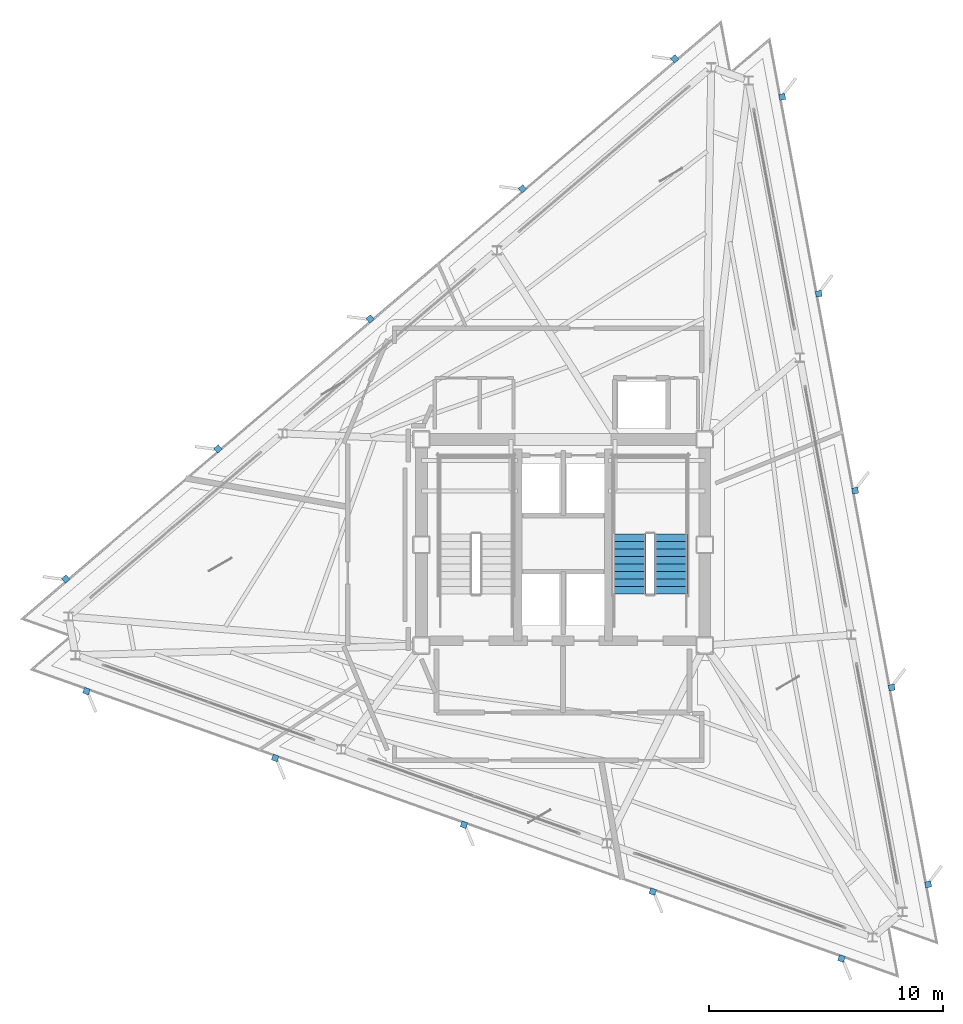
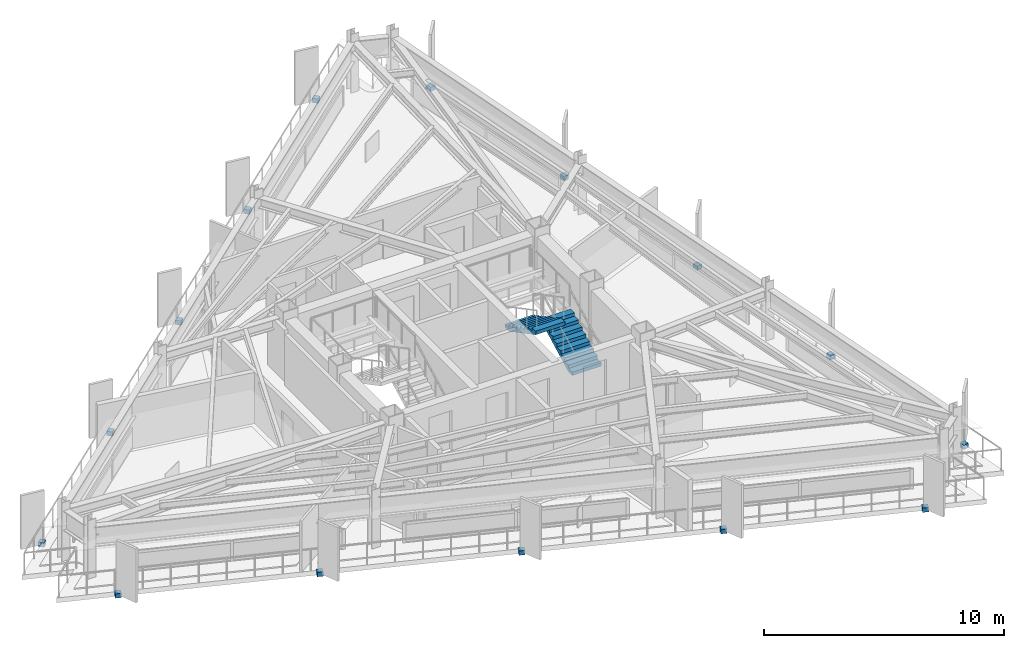
# One storey, part 10 of 14: 15 discrete accessories, 2 stair flights, 1 element without a shape of its own.
"""IFC4 building model written with IfcOpenShell, lengths in metres."""

from ifc_helpers import new_model, si_unit, direction, frame, origin, origin_2d, place, context, subcontext, project, spatial, polyline, rectangle, outline, extrude, material, layer, layer_set, type_object, element, aggregate, save


model = new_model("IFC4")

# Units and contexts
model_context = context("Model", 3, precision=1e-05, world=origin(), true_north=direction((0.0, 1.0)))
body_context = subcontext(model_context, "Body", "Model", "MODEL_VIEW")
ifc_project = project(units=[si_unit("LENGTHUNIT", "METRE"), si_unit("AREAUNIT", "SQUARE_METRE"), si_unit("VOLUMEUNIT", "CUBIC_METRE"), si_unit("PLANEANGLEUNIT", "RADIAN"), si_unit("MASSUNIT", "GRAM", prefix="KILO")], contexts=[model_context])

# Site, building, storey
site_placement = place(None, origin())
site = spatial("IfcSite", under=ifc_project, at=site_placement, CompositionType="ELEMENT")
building_placement = place(site_placement, origin())
building = spatial("IfcBuilding", under=site, at=building_placement, Name="Rocaltana Carrier Exchange", CompositionType="ELEMENT")
storey_placement = place(building_placement, frame((0.0, 0.0, 190.56005859375)))
storey = spatial("IfcBuildingStorey", under=building, at=storey_placement, Name="L60", CompositionType="ELEMENT", Elevation=190.56005859375)

# Stair, stair flights
ifc_material_1 = material(Name="Precast concrete C45/55", Category="concrete")
stair_type = type_object("IfcStairType", Name="Standard Dog-Leg Stair 160", PredefinedType="HALF_TURN_STAIR", material=ifc_material_1)
stair_placement = place(storey_placement, origin())
stair = element("IfcStair", 1, at=stair_placement, inside=storey, type_object=stair_type, Name="L60 Core East Exit Stair ST-2", PredefinedType="HALF_TURN_STAIR")
ifc_material_2 = material(Name="Precast concrete C45/55", Category="concrete")
stair_flight_type = type_object("IfcStairFlightType", Name="Precast Stair Flight 160", PredefinedType="STRAIGHT", material=ifc_material_2)
stair_flight_1_placement = place(storey_placement, frame((4.60009765625, -2.10009765625, 0.0), z_axis=(0.0, 0.0, 1.0), x_axis=(0.0, 1.0, 0.0)))
stair_flight_1 = element("IfcStairFlight", 2, at=stair_flight_1_placement, type_object=stair_flight_type, Name="ST-2 flight 1", NumberOfRisers=9, NumberOfTreads=8, PredefinedType="STRAIGHT", RiserHeight=0.168888889, TreadLength=0.32, context=body_context, shape_type="SweptSolid", body=[
    extrude(outline(polyline([(0.0, 0.0), (0.0, 0.1689453125), (0.320068359375, 0.1689453125), (0.320068359375, 0.337890625), (0.639892578125, 0.337890625), (0.639892578125, 0.506591796875), (0.9599609375, 0.506591796875), (0.9599609375, 0.675537109375), (1.280029296875, 0.675537109375), (1.280029296875, 0.844482421875), (1.60009765625, 0.844482421875), (1.60009765625, 1.013427734375), (1.919921875, 1.013427734375), (1.919921875, 1.18212890625), (2.239990234375, 1.18212890625), (2.239990234375, 1.35107421875), (2.56005859375, 1.35107421875), (2.56005859375, 1.52001953125), (2.56005859375, 1.17041015625), (0.342529296875, 0.0), (0.0, 0.0)])), frame((0.0, 0.699951171875, 0.0), z_axis=(0.0, -1.0, 0.0), x_axis=(1.0, 0.0, 0.0)), (0.0, 0.0, 1.0), 1.39990234375),
])
stair_flight_2_placement = place(storey_placement, frame((2.840087890625, 0.4599609375, 1.52001953125), z_axis=(0.0, 0.0, 1.0), x_axis=(0.0, -1.0, 0.0)))
stair_flight_2 = element("IfcStairFlight", 3, at=stair_flight_2_placement, type_object=stair_flight_type, Name="ST-2 flight 2", NumberOfRisers=9, NumberOfTreads=8, PredefinedType="STRAIGHT", RiserHeight=0.168888889, TreadLength=0.32, context=body_context, shape_type="SweptSolid", body=[
    extrude(outline(polyline([(0.0, 0.0), (0.0, 0.1689453125), (0.320068359375, 0.1689453125), (0.320068359375, 0.337890625), (0.639892578125, 0.337890625), (0.639892578125, 0.506591796875), (0.9599609375, 0.506591796875), (0.9599609375, 0.675537109375), (1.280029296875, 0.675537109375), (1.280029296875, 0.844482421875), (1.60009765625, 0.844482421875), (1.60009765625, 1.013427734375), (1.919921875, 1.013427734375), (1.919921875, 1.18212890625), (2.239990234375, 1.18212890625), (2.239990234375, 1.35107421875), (2.56005859375, 1.35107421875), (2.56005859375, 1.52001953125), (2.56005859375, 1.17041015625), (0.342529296875, 0.0), (0.0, 0.0)])), frame((0.0, 0.699951171875, 0.0), z_axis=(0.0, -1.0, 0.0), x_axis=(1.0, 0.0, 0.0)), (0.0, 0.0, 1.0), 1.39990234375),
])
aggregate(stair, [stair_flight_1, stair_flight_2])

# Discrete accessories
ifc_material_3 = material(Name="Brushed Architectural Stainless Metal", Category="steel")
ifc_layer = layer(ifc_material_3, 0.219970703125)
ifc_layer_set = layer_set([ifc_layer], Name="Brushed Architectural Stainless Metal")
discrete_accessory_type = type_object("IfcDiscreteAccessoryType", Name="Stainless Fin Slab-Edge Bracket 260x260x220", PredefinedType="BRACKET", material=ifc_layer_set)
for number, where, z_axis, x_axis, name in (
    (4, (15.587890625, -14.502197265625, -0.2099609375), (0.0, 0.0, 1.0), (-0.182235525492, 0.983254907564, 0.0), "L60 Sandstone Fin Edge Bracket F1-01"),
    (5, (14.02978515625, -6.095458984375, -0.2099609375), (0.0, 0.0, 1.0), (-0.182235525492, 0.983254907564, 0.0), "L60 Sandstone Fin Edge Bracket F1-02"),
    (6, (12.4716796875, 2.3115234375, -0.2099609375), (0.0, 0.0, 1.0), (-0.182235525492, 0.983254907564, 0.0), "L60 Sandstone Fin Edge Bracket F1-03"),
    (7, (10.91357421875, 10.71826171875, -0.2099609375), (0.0, 0.0, 1.0), (-0.182235525492, 0.983254907564, 0.0), "L60 Sandstone Fin Edge Bracket F1-04"),
    (8, (9.355224609375, 19.125, -0.2099609375), (0.0, 0.0, 1.0), (-0.182235525492, 0.983254907564, 0.0), "L60 Sandstone Fin Edge Bracket F1-05"),
    (9, (4.765380859375, 20.75048828125, -0.2099609375), (0.0, 0.0, 1.0), (-0.7604059656, -0.64944804833, 0.0), "L60 Sandstone Fin Edge Bracket F2-01"),
    (10, (-1.736083984375, 15.19775390625, -0.2099609375), (0.0, 0.0, 1.0), (-0.7604059656, -0.64944804833, 0.0), "L60 Sandstone Fin Edge Bracket F2-02"),
    (11, (-8.237548828125, 9.64501953125, -0.2099609375), (0.0, 0.0, 1.0), (-0.7604059656, -0.64944804833, 0.0), "L60 Sandstone Fin Edge Bracket F2-03"),
    (12, (-14.739013671875, 4.09228515625, -0.2099609375), (0.0, 0.0, 1.0), (-0.7604059656, -0.64944804833, 0.0), "L60 Sandstone Fin Edge Bracket F2-04"),
    (13, (-21.240478515625, -1.460693359375, -0.2099609375), (0.0, 0.0, 1.0), (-0.7604059656, -0.64944804833, 0.0), "L60 Sandstone Fin Edge Bracket F2-05"),
    (14, (-20.353271484375, -6.248291015625, -0.2099609375), (0.0, 0.0, 1.0), (0.942641491092, -0.333806859234, 0.0), "L60 Sandstone Fin Edge Bracket F3-01"),
    (15, (-12.293701171875, -9.102294921875, -0.2099609375), (0.0, 0.0, 1.0), (0.942641491092, -0.333806859234, 0.0), "L60 Sandstone Fin Edge Bracket F3-02"),
    (16, (-4.23388671875, -11.956298828125, -0.2099609375), (0.0, 0.0, 1.0), (0.942641491092, -0.333806859234, 0.0), "L60 Sandstone Fin Edge Bracket F3-03"),
    (17, (3.82568359375, -14.810546875, -0.2099609375), (0.0, 0.0, 1.0), (0.942641491092, -0.333806859234, 0.0), "L60 Sandstone Fin Edge Bracket F3-04"),
    (18, (11.88525390625, -17.66455078125, -0.2099609375), (0.0, 0.0, 1.0), (0.942641491092, -0.333806859234, 0.0), "L60 Sandstone Fin Edge Bracket F3-05"),
):
    element("IfcDiscreteAccessory", number, at=place(storey_placement, frame(where, z_axis=z_axis, x_axis=x_axis)), inside=storey, type_object=discrete_accessory_type, Name=name, PredefinedType="BRACKET", context=body_context, shape_type="SweptSolid", body=[
        extrude(rectangle(XDim=0.260009765625, YDim=0.260009765625, at=origin_2d()), origin(), (0.0, 0.0, 1.0), 0.219970703125),
    ])

save(model, "model.ifc")
